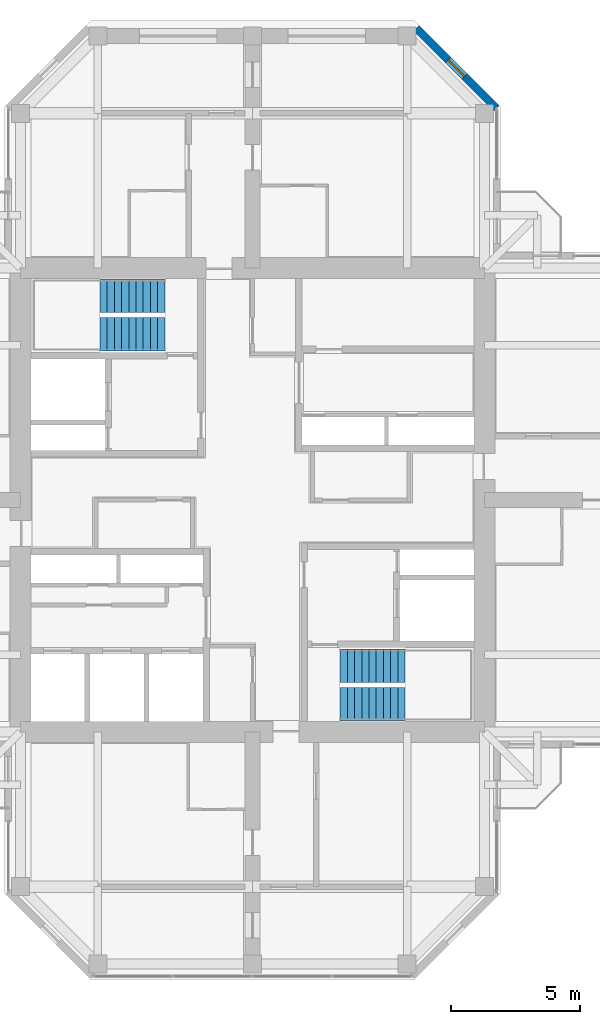
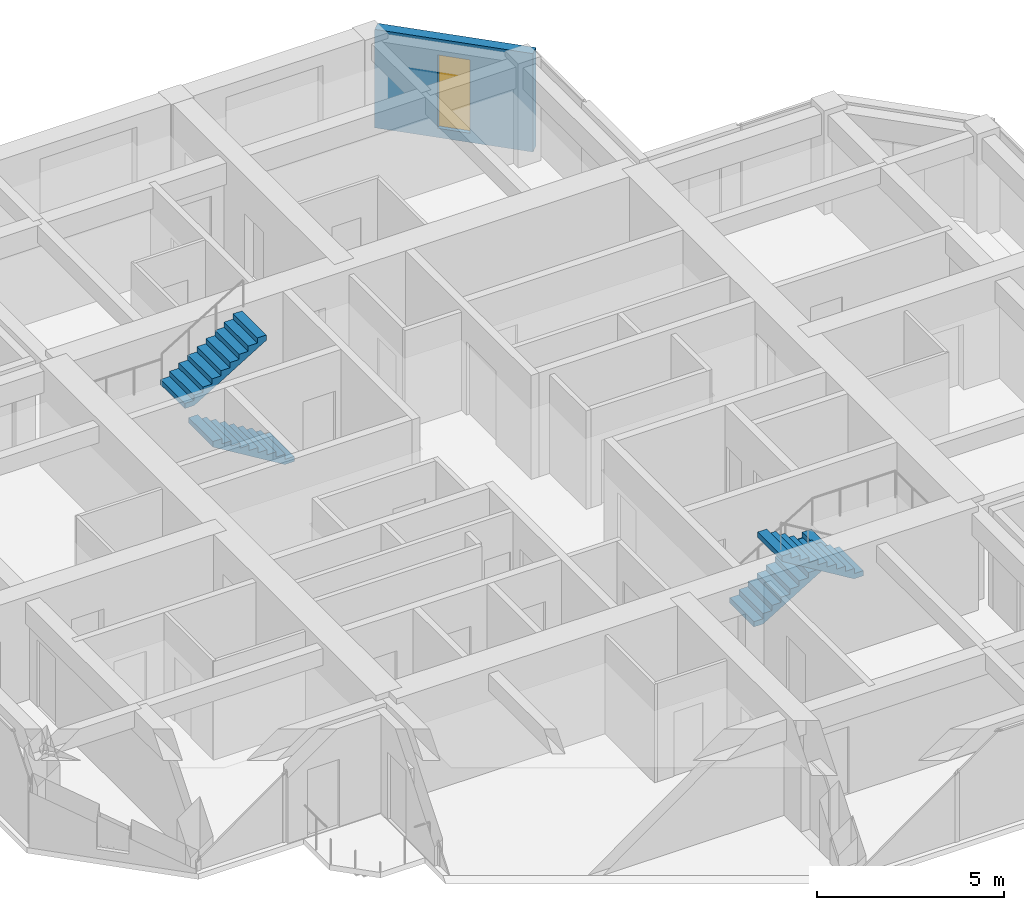
# One storey, part 12 of 13: 4 stair flights, 1 wall, 1 window, 1 opening, 2 elements without a shape of their own.
"""IFC4 building model written with IfcOpenShell, lengths in metres."""

from ifc_helpers import new_model, si_unit, direction, frame, frame_2d, origin, place, context, subcontext, project, spatial, polyline, rectangle, hollow_rectangle, outline, extrude, material, layer, layer_set, constituent, constituent_set, type_object, element, fill, aggregate, save


model = new_model("IFC4")

# Units and contexts
model_context = context("Model", 3, precision=1e-05, world=origin(), true_north=direction((0.0, 1.0)))
body_context = subcontext(model_context, "Body", "Model", "MODEL_VIEW")
ifc_project = project(units=[si_unit("LENGTHUNIT", "METRE"), si_unit("AREAUNIT", "SQUARE_METRE"), si_unit("VOLUMEUNIT", "CUBIC_METRE"), si_unit("PLANEANGLEUNIT", "RADIAN"), si_unit("MASSUNIT", "GRAM", prefix="KILO")], contexts=[model_context])

# Site, building, storey
site_placement = place(None, origin())
site = spatial("IfcSite", under=ifc_project, at=site_placement, CompositionType="ELEMENT")
building_placement = place(site_placement, origin())
building = spatial("IfcBuilding", under=site, at=building_placement, Name="Torre Cruceta", CompositionType="ELEMENT")
storey_placement = place(building_placement, frame((0.0, 0.0, 267.89990234375)))
storey = spatial("IfcBuildingStorey", under=building, at=storey_placement, Name="L69", CompositionType="ELEMENT", Elevation=267.89990234375)

# Wall, opening, window
ifc_material_1 = material(Name="Concrete G30 (fck 30 MPa)", Category="concrete")
ifc_layer = layer(ifc_material_1, 0.300048828125)
ifc_layer_set = layer_set([ifc_layer], Name="Concrete G30 (fck 30 MPa)")
wall_type = type_object("IfcWallType", Name="EXPOSED CONCRETE FACADE WALL 300", PredefinedType="SOLIDWALL", material=ifc_layer_set)
wall_placement = place(storey_placement, frame((9.469970703125, 15.194580078125, 0.0), z_axis=(0.0, 0.0, 1.0), x_axis=(-0.70707898447, 0.707134576811, 0.0)))
wall = element("IfcWall", 1, at=wall_placement, inside=storey, type_object=wall_type, Name="EW1 facade wall L69 N chamfer 06", PredefinedType="SOLIDWALL", context=body_context, shape_type="SweptSolid", body=[
    extrude(rectangle(XDim=4.3916015625, YDim=0.300048828125, at=frame_2d((2.19580078125, 0.0))), origin(), (0.0, 0.0, 1.0), 3.22021484375),
])
opening_placement = place(wall_placement, frame((1.745849609375, 0.0, 0.300048828125)))
opening = element("IfcOpeningElement", 2, at=opening_placement, cuts=wall, Name="Opening WN5", PredefinedType="OPENING", context=body_context, shape_type="SweptSolid", body=[
    extrude(rectangle(XDim=0.89990234375, YDim=2.39990234375, at=frame_2d((0.449951171875, 1.199951171875))), frame((0.0, 0.159912109375, 0.0), z_axis=(0.0, -1.0, 0.0), x_axis=(1.0, 0.0, 0.0)), (0.0, 0.0, 1.0), 0.320068359375),
])
ifc_material_2 = material(Name="Aluminium window frame", Category="aluminium")
ifc_constituent_1 = constituent(ifc_material_2, Name="Frame")
ifc_material_3 = material(Name="Laminated insulating glass unit, low-iron clear", Category="glass")
ifc_constituent_2 = constituent(ifc_material_3, Name="Glazing")
ifc_constituent_set = constituent_set(constituents=[ifc_constituent_1, ifc_constituent_2], Name="Aluminium window")
window_type = type_object("IfcWindowType", Name="CHAMFER SLOT WINDOW 900X2400", PartitioningType="SINGLE_PANEL", PredefinedType="WINDOW", material=ifc_constituent_set)
window_placement = place(opening_placement, origin())
window = element("IfcWindow", 3, at=window_placement, inside=storey, type_object=window_type, Name="WN5 L69 N 1", OverallHeight=2.39990234375, OverallWidth=0.89990234375, PartitioningType="SINGLE_PANEL", PredefinedType="WINDOW", context=body_context, shape_type="SweptSolid", body=[
    extrude(hollow_rectangle(XDim=0.89990234375, YDim=2.39990234375, WallThickness=0.06005859375, at=frame_2d((0.449951171875, 1.199951171875))), frame((0.0, 0.030029296875, 0.0), z_axis=(0.0, -1.0, 0.0), x_axis=(1.0, 0.0, 0.0)), (0.0, 0.0, 1.0), 0.06005859375),
    extrude(rectangle(XDim=0.77880859375, YDim=2.27880859375, at=frame_2d((0.449951171875, 1.199951171875))), frame((0.0, 0.030029296875, 0.0), z_axis=(0.0, -1.0, 0.0), x_axis=(1.0, 0.0, 0.0)), (0.0, 0.0, 1.0), 0.06005859375),
])
fill(opening, window)

# Stair, stair flights
ifc_material_4 = material(Name="Concrete G30 (fck 30 MPa)", Category="concrete")
stair_type = type_object("IfcStairType", Name="STAIR HALF-TURN 1300", PredefinedType="HALF_TURN_STAIR", material=ifc_material_4)
stair_1_placement = place(storey_placement, origin())
stair_1 = element("IfcStair", 4, at=stair_1_placement, inside=storey, type_object=stair_type, Name="Stair ST1 L69", PredefinedType="HALF_TURN_STAIR")
ifc_material_5 = material(Name="Concrete G30 (fck 30 MPa)", Category="concrete")
stair_flight_type = type_object("IfcStairFlightType", Name="STAIR FLIGHT 1300", PredefinedType="STRAIGHT", material=ifc_material_5)
stair_flight_1_placement = place(storey_placement, frame((-3.39990234375, 6.425048828125, 0.0), z_axis=(0.0, 0.0, 1.0), x_axis=(-1.0, 0.0, 0.0)))
stair_flight_1 = element("IfcStairFlight", 5, at=stair_flight_1_placement, type_object=stair_flight_type, Name="ST1 flight 1", NumberOfRisers=10, NumberOfTreads=9, PredefinedType="STRAIGHT", RiserHeight=0.17, TreadLength=0.28, context=body_context, shape_type="SweptSolid", body=[
    extrude(outline(polyline([(0.0, 0.0), (0.0, 0.169921875), (0.280029296875, 0.169921875), (0.280029296875, 0.340087890625), (0.56005859375, 0.340087890625), (0.56005859375, 0.510009765625), (0.840087890625, 0.510009765625), (0.840087890625, 0.679931640625), (1.1201171875, 0.679931640625), (1.1201171875, 0.85009765625), (1.39990234375, 0.85009765625), (1.39990234375, 1.02001953125), (1.679931640625, 1.02001953125), (1.679931640625, 1.18994140625), (1.9599609375, 1.18994140625), (1.9599609375, 1.360107421875), (2.239990234375, 1.360107421875), (2.239990234375, 1.530029296875), (2.52001953125, 1.530029296875), (2.52001953125, 1.699951171875), (2.52001953125, 1.354736328125), (0.288818359375, 0.0), (0.0, 0.0)])), frame((0.0, 0.64990234375, 0.0), z_axis=(0.0, -1.0, 0.0), x_axis=(1.0, 0.0, 0.0)), (0.0, 0.0, 1.0), 1.300048828125),
])
stair_flight_2_placement = place(storey_placement, frame((-5.919921875, 7.925048828125, 1.7001953125), z_axis=(0.0, 0.0, 1.0), x_axis=(1.0, 0.0, 0.0)))
stair_flight_2 = element("IfcStairFlight", 6, at=stair_flight_2_placement, type_object=stair_flight_type, Name="ST1 flight 2", NumberOfRisers=10, NumberOfTreads=9, PredefinedType="STRAIGHT", RiserHeight=0.17, TreadLength=0.28, context=body_context, shape_type="SweptSolid", body=[
    extrude(outline(polyline([(0.0, 0.0), (0.0, 0.169921875), (0.280029296875, 0.169921875), (0.280029296875, 0.340087890625), (0.56005859375, 0.340087890625), (0.56005859375, 0.510009765625), (0.840087890625, 0.510009765625), (0.840087890625, 0.679931640625), (1.1201171875, 0.679931640625), (1.1201171875, 0.85009765625), (1.39990234375, 0.85009765625), (1.39990234375, 1.02001953125), (1.679931640625, 1.02001953125), (1.679931640625, 1.18994140625), (1.9599609375, 1.18994140625), (1.9599609375, 1.360107421875), (2.239990234375, 1.360107421875), (2.239990234375, 1.530029296875), (2.52001953125, 1.530029296875), (2.52001953125, 1.699951171875), (2.52001953125, 1.354736328125), (0.288818359375, 0.0), (0.0, 0.0)])), frame((0.0, 0.64990234375, 0.0), z_axis=(0.0, -1.0, 0.0), x_axis=(1.0, 0.0, 0.0)), (0.0, 0.0, 1.0), 1.300048828125),
])
aggregate(stair_1, [stair_flight_1, stair_flight_2])

stair_2_placement = place(storey_placement, origin())
stair_2 = element("IfcStair", 7, at=stair_2_placement, inside=storey, type_object=stair_type, Name="Stair ST2 L69", PredefinedType="HALF_TURN_STAIR")
stair_flight_3_placement = place(storey_placement, frame((3.39990234375, -6.425048828125, 0.0), z_axis=(0.0, 0.0, 1.0), x_axis=(1.0, 0.0, 0.0)))
stair_flight_3 = element("IfcStairFlight", 8, at=stair_flight_3_placement, type_object=stair_flight_type, Name="ST2 flight 1", NumberOfRisers=10, NumberOfTreads=9, PredefinedType="STRAIGHT", RiserHeight=0.17, TreadLength=0.28, context=body_context, shape_type="SweptSolid", body=[
    extrude(outline(polyline([(0.0, 0.0), (0.0, 0.169921875), (0.280029296875, 0.169921875), (0.280029296875, 0.340087890625), (0.56005859375, 0.340087890625), (0.56005859375, 0.510009765625), (0.840087890625, 0.510009765625), (0.840087890625, 0.679931640625), (1.1201171875, 0.679931640625), (1.1201171875, 0.85009765625), (1.39990234375, 0.85009765625), (1.39990234375, 1.02001953125), (1.679931640625, 1.02001953125), (1.679931640625, 1.18994140625), (1.9599609375, 1.18994140625), (1.9599609375, 1.360107421875), (2.239990234375, 1.360107421875), (2.239990234375, 1.530029296875), (2.52001953125, 1.530029296875), (2.52001953125, 1.699951171875), (2.52001953125, 1.354736328125), (0.288818359375, 0.0), (0.0, 0.0)])), frame((0.0, 0.64990234375, 0.0), z_axis=(0.0, -1.0, 0.0), x_axis=(1.0, 0.0, 0.0)), (0.0, 0.0, 1.0), 1.300048828125),
])
stair_flight_4_placement = place(storey_placement, frame((5.919921875, -7.925048828125, 1.7001953125), z_axis=(0.0, 0.0, 1.0), x_axis=(-1.0, 0.0, 0.0)))
stair_flight_4 = element("IfcStairFlight", 9, at=stair_flight_4_placement, type_object=stair_flight_type, Name="ST2 flight 2", NumberOfRisers=10, NumberOfTreads=9, PredefinedType="STRAIGHT", RiserHeight=0.17, TreadLength=0.28, context=body_context, shape_type="SweptSolid", body=[
    extrude(outline(polyline([(0.0, 0.0), (0.0, 0.169921875), (0.280029296875, 0.169921875), (0.280029296875, 0.340087890625), (0.56005859375, 0.340087890625), (0.56005859375, 0.510009765625), (0.840087890625, 0.510009765625), (0.840087890625, 0.679931640625), (1.1201171875, 0.679931640625), (1.1201171875, 0.85009765625), (1.39990234375, 0.85009765625), (1.39990234375, 1.02001953125), (1.679931640625, 1.02001953125), (1.679931640625, 1.18994140625), (1.9599609375, 1.18994140625), (1.9599609375, 1.360107421875), (2.239990234375, 1.360107421875), (2.239990234375, 1.530029296875), (2.52001953125, 1.530029296875), (2.52001953125, 1.699951171875), (2.52001953125, 1.354736328125), (0.288818359375, 0.0), (0.0, 0.0)])), frame((0.0, 0.64990234375, 0.0), z_axis=(0.0, -1.0, 0.0), x_axis=(1.0, 0.0, 0.0)), (0.0, 0.0, 1.0), 1.300048828125),
])
aggregate(stair_2, [stair_flight_3, stair_flight_4])

save(model, "model.ifc")
